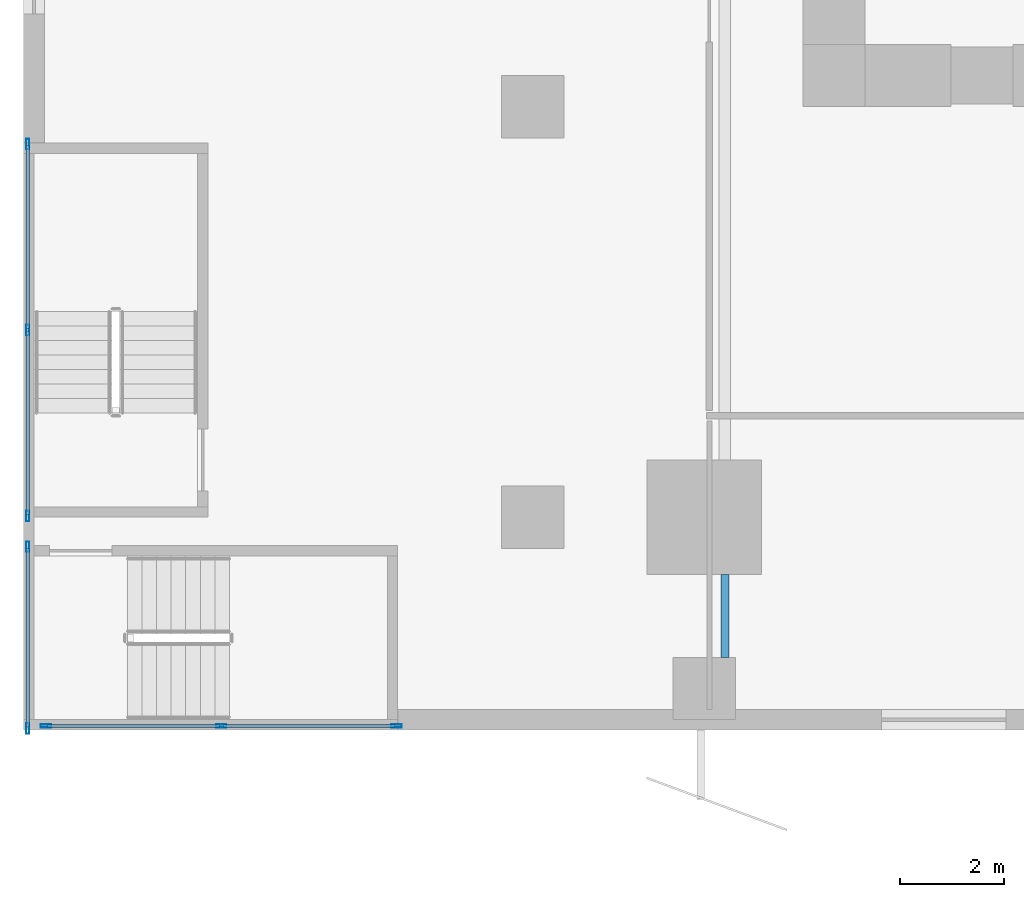
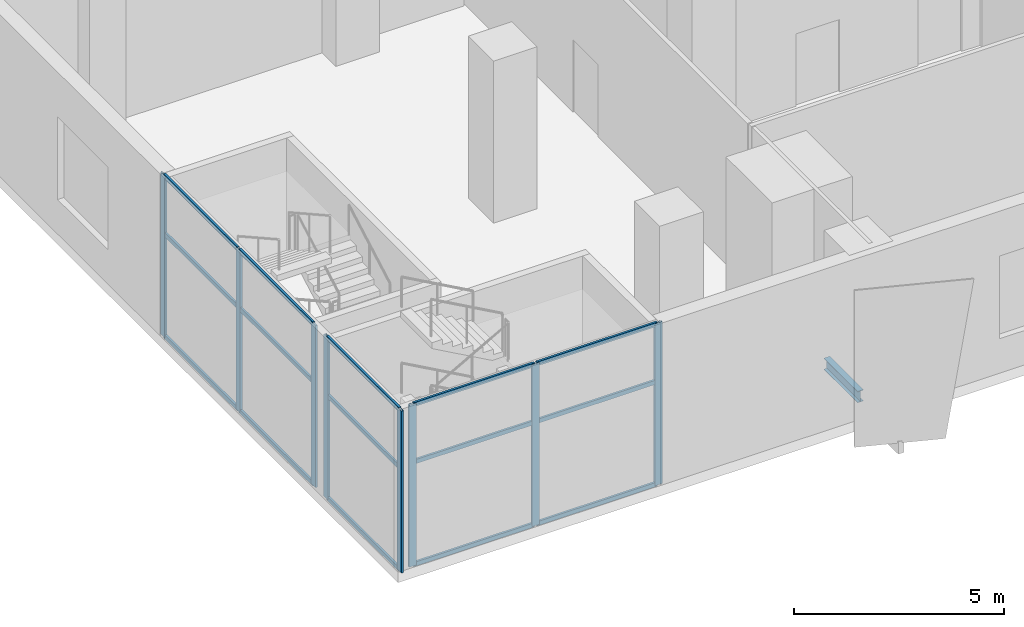
# One storey, part 2 of 22: 23 members, 1 beam, 3 elements without a shape of their own.
"""IFC4 building model written with IfcOpenShell, lengths in metres."""

from ifc_helpers import new_model, si_unit, direction, frame, origin, origin_2d, place, context, subcontext, project, spatial, hollow_rectangle, i_section, extrude, source, transform, mapped, material, material_profile, profile_set, type_object, element, aggregate, save


model = new_model("IFC4")

# Units and contexts
model_context = context("Model", 3, precision=1e-05, world=origin(), true_north=direction((0.0, 1.0)))
body_context = subcontext(model_context, "Body", "Model", "MODEL_VIEW")
ifc_project = project(units=[si_unit("LENGTHUNIT", "METRE"), si_unit("AREAUNIT", "SQUARE_METRE"), si_unit("VOLUMEUNIT", "CUBIC_METRE"), si_unit("PLANEANGLEUNIT", "RADIAN"), si_unit("MASSUNIT", "GRAM", prefix="KILO")], contexts=[model_context])

# Site, building, storey
site_placement = place(None, origin())
site = spatial("IfcSite", under=ifc_project, at=site_placement, CompositionType="ELEMENT")
building_placement = place(site_placement, origin())
building = spatial("IfcBuilding", under=site, at=building_placement, Name="Khomas Fold Tower", CompositionType="ELEMENT")
storey_placement = place(building_placement, frame((0.0, 0.0, 23.5)))
storey = spatial("IfcBuildingStorey", under=building, at=storey_placement, Name="L04", CompositionType="ELEMENT", Elevation=23.5)

# Beam
ifc_material_1 = material(Name="Steel S355", Category="steel")
ifc_material_profile_1 = material_profile(ifc_material_1, i_section(OverallWidth=0.159912109375, OverallDepth=0.330078125, WebThickness=0.007568359375, FlangeThickness=0.011474609375, at=origin_2d()), Name="IPE 330")
ifc_profile_set_1 = profile_set([ifc_material_profile_1], Name="Steel S355")
beam_type = type_object("IfcBeamType", Name="IPE 330 beam JB1", PredefinedType="BEAM", material=ifc_profile_set_1)
shared_shape_1 = source(origin(), body_context, "Body", "SweptSolid", [
    extrude(i_section(OverallWidth=0.159912109375, OverallDepth=0.330078125, WebThickness=0.007568359375, FlangeThickness=0.011474609375, at=origin_2d()), origin(), (0.0, 0.0, 1.0), 1.60009765625),
])
beam_placement = place(storey_placement, frame((4.5, 1.39990234375, -0.465087890625), z_axis=(0.0, 1.0, 0.0), x_axis=(-1.0, 0.0, 0.0)))
element("IfcBeam", 1, at=beam_placement, inside=storey, type_object=beam_type, Name="JB1", PredefinedType="BEAM", context=body_context, shape_type="MappedRepresentation", body=[
    mapped(shared_shape_1, transform((0.0, 0.0, 0.0))),
])

# Curtain wall, members
ifc_material_2 = material(Name="Aluminium framed double glazing", Category="aluminium")
curtain_wall_type = type_object("IfcCurtainWallType", Name="Shopfront glazing PD-CW", PredefinedType="NOTDEFINED", material=ifc_material_2)
curtain_wall_1_placement = place(storey_placement, origin())
curtain_wall_1 = element("IfcCurtainWall", 2, at=curtain_wall_1_placement, inside=storey, type_object=curtain_wall_type, Name="Podium stair-tower glazing", PredefinedType="NOTDEFINED")
ifc_material_3 = material(Name="Aluminium", Category="aluminium")
ifc_material_profile_2 = material_profile(ifc_material_3, hollow_rectangle(XDim=0.06005859375, YDim=0.1201171875, WallThickness=0.00390625, at=origin_2d()), Name="Shopfront glazing transom PD-CW-T")
ifc_profile_set_2 = profile_set([ifc_material_profile_2], Name="Aluminium")
member_type_1 = type_object("IfcMemberType", Name="Shopfront glazing transom PD-CW-T", PredefinedType="USERDEFINED", material=ifc_profile_set_2)
shared_shape_2 = source(origin(), body_context, "Body", "SweptSolid", [
    extrude(hollow_rectangle(XDim=0.06005859375, YDim=0.1201171875, WallThickness=0.00390625, at=origin_2d()), origin(), (0.0, 0.0, 1.0), 3.52001953125),
])
member_1_placement = place(storey_placement, frame((-8.919921875, 11.25, 0.030029296875), z_axis=(0.0, -1.0, 0.0), x_axis=(1.0, 0.0, 0.0)))
member_1 = element("IfcMember", 3, at=member_1_placement, type_object=member_type_1, Name="PD-CW transom 1.1", ObjectType="TRANSOM", PredefinedType="USERDEFINED", context=body_context, shape_type="MappedRepresentation", body=[
    mapped(shared_shape_2, transform((0.0, 0.0, 0.0))),
])
member_2_placement = place(storey_placement, frame((-8.919921875, 11.25, 3.0), z_axis=(0.0, -1.0, 0.0), x_axis=(1.0, 0.0, 0.0)))
member_2 = element("IfcMember", 4, at=member_2_placement, type_object=member_type_1, Name="PD-CW transom 1.2", ObjectType="TRANSOM", PredefinedType="USERDEFINED", context=body_context, shape_type="MappedRepresentation", body=[
    mapped(shared_shape_2, transform((0.0, 0.0, 0.0))),
])
member_3_placement = place(storey_placement, frame((-8.919921875, 11.25, 4.669921875), z_axis=(0.0, -1.0, 0.0), x_axis=(1.0, 0.0, 0.0)))
member_3 = element("IfcMember", 5, at=member_3_placement, type_object=member_type_1, Name="PD-CW transom 1.3", ObjectType="TRANSOM", PredefinedType="USERDEFINED", context=body_context, shape_type="MappedRepresentation", body=[
    mapped(shared_shape_2, transform((0.0, 0.0, 0.0))),
])
member_4_placement = place(storey_placement, frame((-8.919921875, 7.669921875, 0.030029296875), z_axis=(0.0, -1.0, 0.0), x_axis=(1.0, 0.0, 0.0)))
member_4 = element("IfcMember", 6, at=member_4_placement, type_object=member_type_1, Name="PD-CW transom 2.1", ObjectType="TRANSOM", PredefinedType="USERDEFINED", context=body_context, shape_type="MappedRepresentation", body=[
    mapped(shared_shape_2, transform((0.0, 0.0, 0.0))),
])
member_5_placement = place(storey_placement, frame((-8.919921875, 7.669921875, 3.0), z_axis=(0.0, -1.0, 0.0), x_axis=(1.0, 0.0, 0.0)))
member_5 = element("IfcMember", 7, at=member_5_placement, type_object=member_type_1, Name="PD-CW transom 2.2", ObjectType="TRANSOM", PredefinedType="USERDEFINED", context=body_context, shape_type="MappedRepresentation", body=[
    mapped(shared_shape_2, transform((0.0, 0.0, 0.0))),
])
member_6_placement = place(storey_placement, frame((-8.919921875, 7.669921875, 4.669921875), z_axis=(0.0, -1.0, 0.0), x_axis=(1.0, 0.0, 0.0)))
member_6 = element("IfcMember", 8, at=member_6_placement, type_object=member_type_1, Name="PD-CW transom 2.3", ObjectType="TRANSOM", PredefinedType="USERDEFINED", context=body_context, shape_type="MappedRepresentation", body=[
    mapped(shared_shape_2, transform((0.0, 0.0, 0.0))),
])

curtain_wall_2_placement = place(storey_placement, origin())
curtain_wall_2 = element("IfcCurtainWall", 9, at=curtain_wall_2_placement, inside=storey, type_object=curtain_wall_type, Name="Podium stair-tower glazing", PredefinedType="NOTDEFINED")
shared_shape_3 = source(origin(), body_context, "Body", "SweptSolid", [
    extrude(hollow_rectangle(XDim=0.06005859375, YDim=0.1201171875, WallThickness=0.00390625, at=origin_2d()), origin(), (0.0, 0.0, 1.0), 3.43994140625),
])
member_7_placement = place(storey_placement, frame((-8.919921875, 3.5, 0.030029296875), z_axis=(0.0, -1.0, 0.0), x_axis=(1.0, 0.0, 0.0)))
member_7 = element("IfcMember", 10, at=member_7_placement, type_object=member_type_1, Name="PD-CW transom 1.1", ObjectType="TRANSOM", PredefinedType="USERDEFINED", context=body_context, shape_type="MappedRepresentation", body=[
    mapped(shared_shape_3, transform((0.0, 0.0, 0.0))),
])
member_8_placement = place(storey_placement, frame((-8.919921875, 3.5, 3.0), z_axis=(0.0, -1.0, 0.0), x_axis=(1.0, 0.0, 0.0)))
member_8 = element("IfcMember", 11, at=member_8_placement, type_object=member_type_1, Name="PD-CW transom 1.2", ObjectType="TRANSOM", PredefinedType="USERDEFINED", context=body_context, shape_type="MappedRepresentation", body=[
    mapped(shared_shape_3, transform((0.0, 0.0, 0.0))),
])
member_9_placement = place(storey_placement, frame((-8.919921875, 3.5, 4.669921875), z_axis=(0.0, -1.0, 0.0), x_axis=(1.0, 0.0, 0.0)))
member_9 = element("IfcMember", 12, at=member_9_placement, type_object=member_type_1, Name="PD-CW transom 1.3", ObjectType="TRANSOM", PredefinedType="USERDEFINED", context=body_context, shape_type="MappedRepresentation", body=[
    mapped(shared_shape_3, transform((0.0, 0.0, 0.0))),
])

curtain_wall_3_placement = place(storey_placement, origin())
curtain_wall_3 = element("IfcCurtainWall", 13, at=curtain_wall_3_placement, inside=storey, type_object=curtain_wall_type, Name="Podium stair-tower glazing", PredefinedType="NOTDEFINED")
shared_shape_4 = source(origin(), body_context, "Body", "SweptSolid", [
    extrude(hollow_rectangle(XDim=0.06005859375, YDim=0.1201171875, WallThickness=0.00390625, at=origin_2d()), origin(), (0.0, 0.0, 1.0), 3.31494140625),
])
member_10_placement = place(storey_placement, frame((-8.5400390625, 0.080078125, 0.030029296875), z_axis=(1.0, 0.0, 0.0), x_axis=(0.0, 1.0, 0.0)))
member_10 = element("IfcMember", 14, at=member_10_placement, type_object=member_type_1, Name="PD-CW transom 1.1", ObjectType="TRANSOM", PredefinedType="USERDEFINED", context=body_context, shape_type="MappedRepresentation", body=[
    mapped(shared_shape_4, transform((0.0, 0.0, 0.0))),
])
member_11_placement = place(storey_placement, frame((-8.5400390625, 0.080078125, 3.0), z_axis=(1.0, 0.0, 0.0), x_axis=(0.0, 1.0, 0.0)))
member_11 = element("IfcMember", 15, at=member_11_placement, type_object=member_type_1, Name="PD-CW transom 1.2", ObjectType="TRANSOM", PredefinedType="USERDEFINED", context=body_context, shape_type="MappedRepresentation", body=[
    mapped(shared_shape_4, transform((0.0, 0.0, 0.0))),
])
member_12_placement = place(storey_placement, frame((-8.5400390625, 0.080078125, 4.669921875), z_axis=(1.0, 0.0, 0.0), x_axis=(0.0, 1.0, 0.0)))
member_12 = element("IfcMember", 16, at=member_12_placement, type_object=member_type_1, Name="PD-CW transom 1.3", ObjectType="TRANSOM", PredefinedType="USERDEFINED", context=body_context, shape_type="MappedRepresentation", body=[
    mapped(shared_shape_4, transform((0.0, 0.0, 0.0))),
])
member_13_placement = place(storey_placement, frame((-5.1650390625, 0.080078125, 0.030029296875), z_axis=(1.0, 0.0, 0.0), x_axis=(0.0, 1.0, 0.0)))
member_13 = element("IfcMember", 17, at=member_13_placement, type_object=member_type_1, Name="PD-CW transom 2.1", ObjectType="TRANSOM", PredefinedType="USERDEFINED", context=body_context, shape_type="MappedRepresentation", body=[
    mapped(shared_shape_4, transform((0.0, 0.0, 0.0))),
])
member_14_placement = place(storey_placement, frame((-5.1650390625, 0.080078125, 3.0), z_axis=(1.0, 0.0, 0.0), x_axis=(0.0, 1.0, 0.0)))
member_14 = element("IfcMember", 18, at=member_14_placement, type_object=member_type_1, Name="PD-CW transom 2.2", ObjectType="TRANSOM", PredefinedType="USERDEFINED", context=body_context, shape_type="MappedRepresentation", body=[
    mapped(shared_shape_4, transform((0.0, 0.0, 0.0))),
])
member_15_placement = place(storey_placement, frame((-5.1650390625, 0.080078125, 4.669921875), z_axis=(1.0, 0.0, 0.0), x_axis=(0.0, 1.0, 0.0)))
member_15 = element("IfcMember", 19, at=member_15_placement, type_object=member_type_1, Name="PD-CW transom 2.3", ObjectType="TRANSOM", PredefinedType="USERDEFINED", context=body_context, shape_type="MappedRepresentation", body=[
    mapped(shared_shape_4, transform((0.0, 0.0, 0.0))),
])

# Member
ifc_material_4 = material(Name="Aluminium", Category="aluminium")
ifc_material_profile_3 = material_profile(ifc_material_4, hollow_rectangle(XDim=0.06005859375, YDim=0.199951171875, WallThickness=0.00390625, at=origin_2d()), Name="Shopfront glazing mullion PD-CW-M")
ifc_profile_set_3 = profile_set([ifc_material_profile_3], Name="Aluminium")
member_type_2 = type_object("IfcMemberType", Name="Shopfront glazing mullion PD-CW-M", PredefinedType="MULLION", material=ifc_profile_set_3)
shared_shape_5 = source(origin(), body_context, "Body", "SweptSolid", [
    extrude(hollow_rectangle(XDim=0.06005859375, YDim=0.199951171875, WallThickness=0.00390625, at=origin_2d()), origin(), (0.0, 0.0, 1.0), 4.699951171875),
])
member_16_placement = place(storey_placement, frame((-8.919921875, 11.280029296875, 0.0), z_axis=(0.0, 0.0, 1.0), x_axis=(1.0, 0.0, 0.0)))
member_16 = element("IfcMember", 20, at=member_16_placement, type_object=member_type_2, Name="PD-CW mullion 1", PredefinedType="MULLION", context=body_context, shape_type="MappedRepresentation", body=[
    mapped(shared_shape_5, transform((0.0, 0.0, 0.0))),
])

member_17_placement = place(storey_placement, frame((-8.919921875, 7.699951171875, 0.0), z_axis=(0.0, 0.0, 1.0), x_axis=(1.0, 0.0, 0.0)))
member_17 = element("IfcMember", 21, at=member_17_placement, type_object=member_type_2, Name="PD-CW mullion 2", PredefinedType="MULLION", context=body_context, shape_type="MappedRepresentation", body=[
    mapped(shared_shape_5, transform((0.0, 0.0, 0.0))),
])

member_18_placement = place(storey_placement, frame((-8.919921875, 4.1201171875, 0.0), z_axis=(0.0, 0.0, 1.0), x_axis=(1.0, 0.0, 0.0)))
member_18 = element("IfcMember", 22, at=member_18_placement, type_object=member_type_2, Name="PD-CW mullion 3", PredefinedType="MULLION", context=body_context, shape_type="MappedRepresentation", body=[
    mapped(shared_shape_5, transform((0.0, 0.0, 0.0))),
])

aggregate(curtain_wall_1, [member_16, member_17, member_18, member_1, member_2, member_3, member_4, member_5, member_6])

member_19_placement = place(storey_placement, frame((-8.919921875, 3.530029296875, 0.0), z_axis=(0.0, 0.0, 1.0), x_axis=(1.0, 0.0, 0.0)))
member_19 = element("IfcMember", 23, at=member_19_placement, type_object=member_type_2, Name="PD-CW mullion 1", PredefinedType="MULLION", context=body_context, shape_type="MappedRepresentation", body=[
    mapped(shared_shape_5, transform((0.0, 0.0, 0.0))),
])

member_20_placement = place(storey_placement, frame((-8.919921875, 0.030029296875, 0.0), z_axis=(0.0, 0.0, 1.0), x_axis=(1.0, 0.0, 0.0)))
member_20 = element("IfcMember", 24, at=member_20_placement, type_object=member_type_2, Name="PD-CW mullion 2", PredefinedType="MULLION", context=body_context, shape_type="MappedRepresentation", body=[
    mapped(shared_shape_5, transform((0.0, 0.0, 0.0))),
])

aggregate(curtain_wall_2, [member_19, member_20, member_7, member_8, member_9])

member_21_placement = place(storey_placement, frame((-8.570068359375, 0.080078125, 0.0), z_axis=(0.0, 0.0, 1.0), x_axis=(0.0, 1.0, 0.0)))
member_21 = element("IfcMember", 25, at=member_21_placement, type_object=member_type_2, Name="PD-CW mullion 1", PredefinedType="MULLION", context=body_context, shape_type="MappedRepresentation", body=[
    mapped(shared_shape_5, transform((0.0, 0.0, 0.0))),
])

member_22_placement = place(storey_placement, frame((-5.195068359375, 0.080078125, 0.0), z_axis=(0.0, 0.0, 1.0), x_axis=(0.0, 1.0, 0.0)))
member_22 = element("IfcMember", 26, at=member_22_placement, type_object=member_type_2, Name="PD-CW mullion 2", PredefinedType="MULLION", context=body_context, shape_type="MappedRepresentation", body=[
    mapped(shared_shape_5, transform((0.0, 0.0, 0.0))),
])

member_23_placement = place(storey_placement, frame((-1.820068359375, 0.080078125, 0.0), z_axis=(0.0, 0.0, 1.0), x_axis=(0.0, 1.0, 0.0)))
member_23 = element("IfcMember", 27, at=member_23_placement, type_object=member_type_2, Name="PD-CW mullion 3", PredefinedType="MULLION", context=body_context, shape_type="MappedRepresentation", body=[
    mapped(shared_shape_5, transform((0.0, 0.0, 0.0))),
])

aggregate(curtain_wall_3, [member_21, member_22, member_23, member_10, member_11, member_12, member_13, member_14, member_15])

save(model, "model.ifc")
